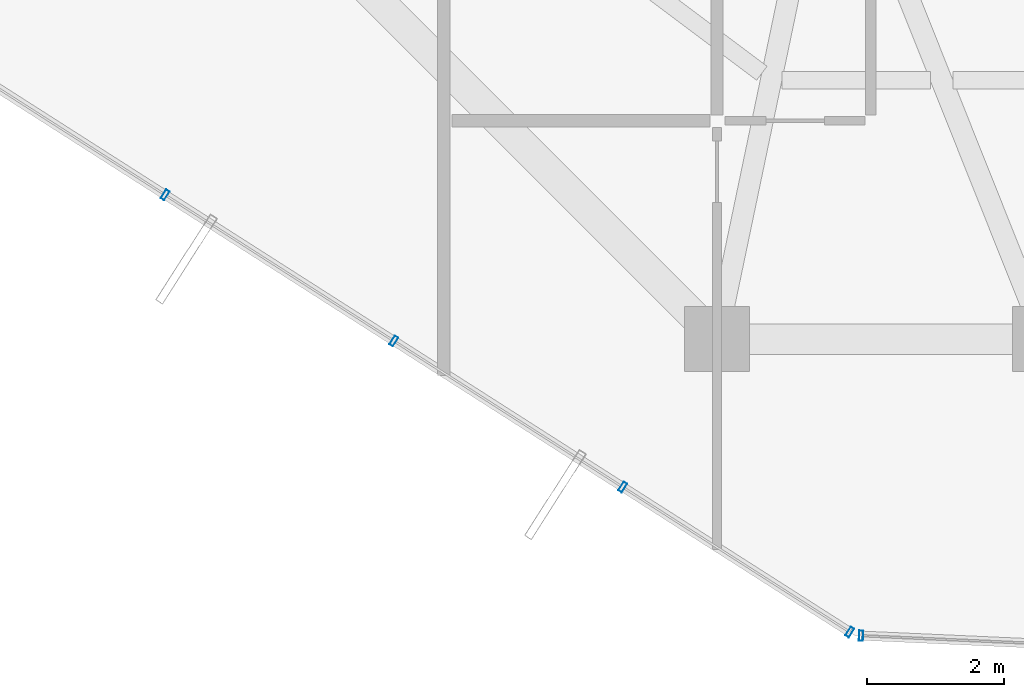
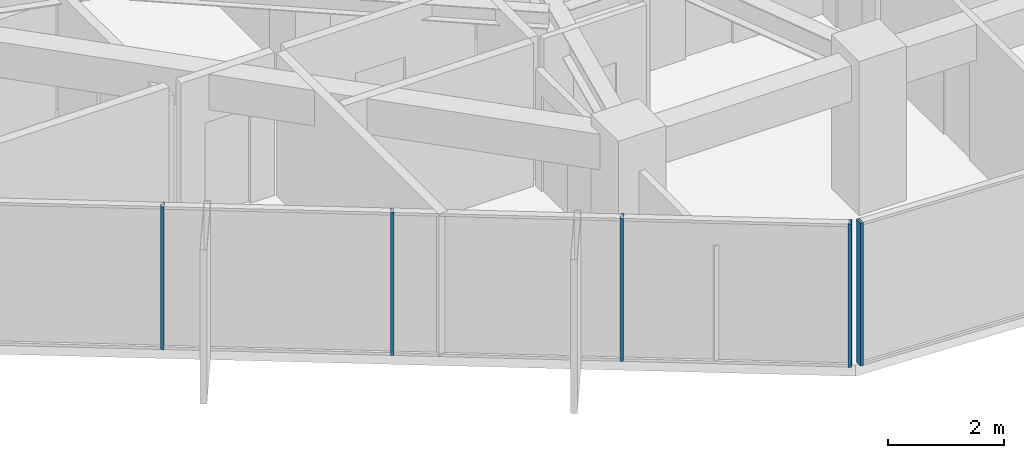
# One storey, part 2 of 29: 5 members, 2 elements without a shape of their own.
"""IFC4 building model written with IfcOpenShell, lengths in metres."""

from ifc_helpers import new_model, si_unit, direction, frame, origin, origin_2d, place, context, subcontext, project, spatial, hollow_rectangle, extrude, source, transform, mapped, material, layer, layer_set, material_profile, profile_set, type_object, element, aggregate, save


model = new_model("IFC4")

# Units and contexts
model_context = context("Model", 3, precision=1e-05, world=origin(), true_north=direction((0.0, 1.0)))
body_context = subcontext(model_context, "Body", "Model", "MODEL_VIEW")
ifc_project = project(units=[si_unit("LENGTHUNIT", "METRE"), si_unit("AREAUNIT", "SQUARE_METRE"), si_unit("VOLUMEUNIT", "CUBIC_METRE"), si_unit("PLANEANGLEUNIT", "RADIAN"), si_unit("MASSUNIT", "GRAM", prefix="KILO")], contexts=[model_context])

# Site, building, storey
site_placement = place(None, origin())
site = spatial("IfcSite", under=ifc_project, at=site_placement, CompositionType="ELEMENT")
building_placement = place(site_placement, origin())
building = spatial("IfcBuilding", under=site, at=building_placement, Name="Veraguas Prism Commons", CompositionType="ELEMENT")
storey_placement = place(building_placement, frame((0.0, 0.0, 215.64990234375)))
storey = spatial("IfcBuildingStorey", under=building, at=storey_placement, Name="L61", CompositionType="ELEMENT", Elevation=215.64990234375)

# Curtain wall, members
ifc_material = material(Name="Anodised aluminium EN AW-6063 T6", Category="aluminium")
ifc_layer = layer(ifc_material, 0.14990234375, Name="Unitised Flush Curtain Wall Zone 3", Category="aluminium")
ifc_layer_set = layer_set([ifc_layer], Name="Anodised aluminium EN AW-6063 T6")
curtain_wall_type = type_object("IfcCurtainWallType", Name="Unitised Flush Curtain Wall Zone 3", PredefinedType="NOTDEFINED", material=ifc_layer_set)
curtain_wall_1_placement = place(storey_placement, origin())
curtain_wall_1 = element("IfcCurtainWall", 1, at=curtain_wall_1_placement, inside=storey, type_object=curtain_wall_type, Name="Tower Facade Curtain Wall L61-F4", PredefinedType="NOTDEFINED")
ifc_material_profile = material_profile(ifc_material, hollow_rectangle(XDim=0.06005859375, YDim=0.14990234375, WallThickness=0.0029296875, at=origin_2d()), Name="AL60X150X3")
ifc_profile_set = profile_set([ifc_material_profile], Name="Anodised aluminium EN AW-6063 T6")
member_type = type_object("IfcMemberType", Name="Curtain Wall Mullion Upper AL 60x150x3", PredefinedType="MULLION", material=ifc_profile_set)
shared_shape = source(origin(), body_context, "Body", "SweptSolid", [
    extrude(hollow_rectangle(XDim=0.06005859375, YDim=0.14990234375, WallThickness=0.0029296875, at=origin_2d()), origin(), (0.0, 0.0, 1.0), 3.01513671875),
])
member_1_placement = place(storey_placement, frame((11.117919921875, 11.212890625, 0.0), z_axis=(0.0, 0.0, 1.0), x_axis=(0.842828324641, -0.538182511035, 0.0)))
member_1 = element("IfcMember", 2, at=member_1_placement, type_object=member_type, Name="CW-Z3 Mullion 2", PredefinedType="MULLION", context=body_context, shape_type="MappedRepresentation", body=[
    mapped(shared_shape, transform((0.0, 0.0, 0.0), scale=1.0)),
])
member_2_placement = place(storey_placement, frame((14.46875, 9.0732421875, 0.0), z_axis=(0.0, 0.0, 1.0), x_axis=(0.842828324641, -0.538182511035, 0.0)))
member_2 = element("IfcMember", 3, at=member_2_placement, type_object=member_type, Name="CW-Z3 Mullion 3", PredefinedType="MULLION", context=body_context, shape_type="MappedRepresentation", body=[
    mapped(shared_shape, transform((0.0, 0.0, 0.0), scale=1.0)),
])
member_3_placement = place(storey_placement, frame((17.8193359375, 6.93359375, 0.0), z_axis=(0.0, 0.0, 1.0), x_axis=(0.842828324641, -0.538182511035, 0.0)))
member_3 = element("IfcMember", 4, at=member_3_placement, type_object=member_type, Name="CW-Z3 Mullion 4", PredefinedType="MULLION", context=body_context, shape_type="MappedRepresentation", body=[
    mapped(shared_shape, transform((0.0, 0.0, 0.0), scale=1.0)),
])
member_4_placement = place(storey_placement, frame((21.14501953125, 4.810302734375, 0.0), z_axis=(0.0, 0.0, 1.0), x_axis=(0.842828324641, -0.538182511035, 0.0)))
member_4 = element("IfcMember", 5, at=member_4_placement, type_object=member_type, Name="CW-Z3 Mullion 5", PredefinedType="MULLION", context=body_context, shape_type="MappedRepresentation", body=[
    mapped(shared_shape, transform((0.0, 0.0, 0.0), scale=1.0)),
])
aggregate(curtain_wall_1, [member_1, member_2, member_3, member_4])

# Curtain wall, member
curtain_wall_2_placement = place(storey_placement, origin())
curtain_wall_2 = element("IfcCurtainWall", 6, at=curtain_wall_2_placement, inside=storey, type_object=curtain_wall_type, Name="Chamfer Curtain Wall L61-C5", PredefinedType="NOTDEFINED")
member_5_placement = place(storey_placement, frame((21.310791015625, 4.7578125, 0.0), z_axis=(0.0, 0.0, 1.0), x_axis=(0.999003242593, -0.044637666692, 0.0)))
member_5 = element("IfcMember", 7, at=member_5_placement, type_object=member_type, Name="CW-Z3 Mullion 1", PredefinedType="MULLION", context=body_context, shape_type="MappedRepresentation", body=[
    mapped(shared_shape, transform((0.0, 0.0, 0.0), scale=1.0)),
])
aggregate(curtain_wall_2, [member_5])

save(model, "model.ifc")
